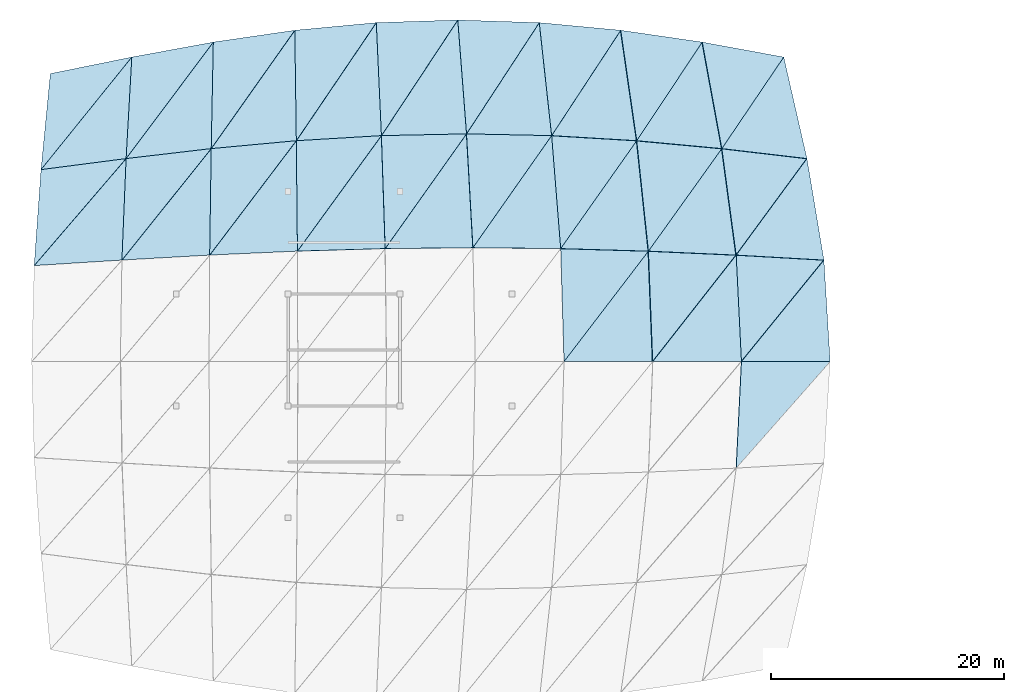
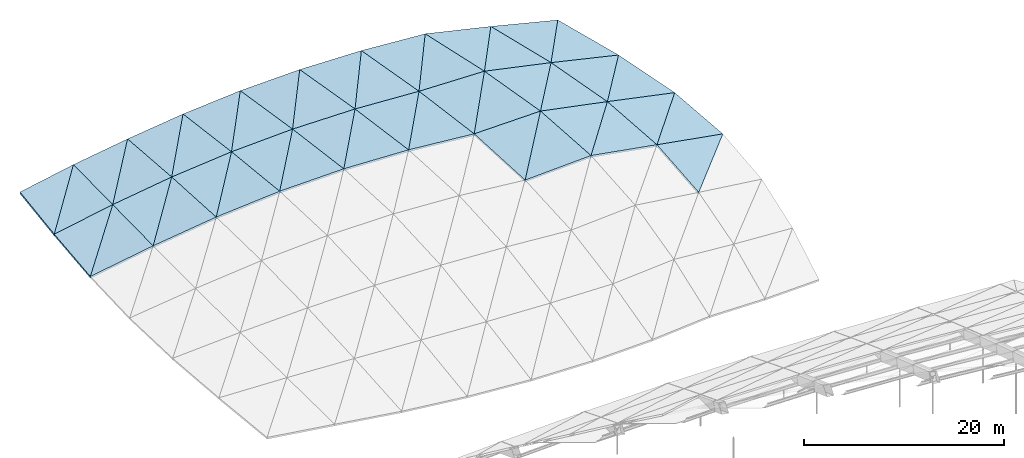
# One storey, part 43 of 43: 43 slabs.
"""IFC4 building model written with IfcOpenShell, lengths in metres."""

from ifc_helpers import new_model, si_unit, direction, frame, origin, place, context, subcontext, project, spatial, polyline, outline, extrude, material, layer, layer_set, type_object, element, save


model = new_model("IFC4")

# Units and contexts
model_context = context("Model", 3, precision=1e-05, world=origin(), true_north=direction((0.0, 1.0)))
body_context = subcontext(model_context, "Body", "Model", "MODEL_VIEW")
ifc_project = project(units=[si_unit("LENGTHUNIT", "METRE"), si_unit("AREAUNIT", "SQUARE_METRE"), si_unit("VOLUMEUNIT", "CUBIC_METRE"), si_unit("PLANEANGLEUNIT", "RADIAN"), si_unit("MASSUNIT", "GRAM", prefix="KILO")], contexts=[model_context])

# Site, building, storey
site_placement = place(None, origin())
site = spatial("IfcSite", under=ifc_project, at=site_placement, CompositionType="ELEMENT")
building_placement = place(site_placement, origin())
building = spatial("IfcBuilding", under=site, at=building_placement, Name="Chalmorin Arch Market", CompositionType="ELEMENT")
storey_placement = place(building_placement, frame((0.0, 0.0, 18.60009765625)))
storey = spatial("IfcBuildingStorey", under=building, at=storey_placement, Name="RF", CompositionType="ELEMENT", Elevation=18.60009765625)

# Slabs
ifc_material = material(Name="Concrete C40/50", Category="concrete")
ifc_layer = layer(ifc_material, 0.22509765625)
ifc_layer_set = layer_set([ifc_layer], Name="Concrete C40/50")
slab_type = type_object("IfcSlabType", Name="StudioSlopedRoofSlab-225", PredefinedType="ROOF", material=ifc_layer_set)
slab_1_placement = place(storey_placement, frame((45.4140625, 103.23291015625, -0.814208984375), z_axis=(-0.110881251552, 0.047327918976, 0.992706107637), x_axis=(0.99220121627, 0.062499343561, 0.10784515977)))
element("IfcSlab", 1, at=slab_1_placement, inside=storey, type_object=slab_type, Name="RS-225-246", PredefinedType="ROOF", context=body_context, shape_type="SweptSolid", body=[
    extrude(outline(polyline([(0.0, 0.0), (7.586017176075133, 3.469446951953614e-17), (8.446089054126706, 8.67999248428343), (0.0, 0.0)])), origin(), (0.0, 0.0, -1.0), 0.22509765625),
])
slab_2_placement = place(storey_placement, frame((45.4140625, 103.23291015625, -0.814208984375), z_axis=(-0.066348375866, 0.008833408933, 0.997757417365), x_axis=(0.651137201648, 0.758077632431, 0.036587536639)))
element("IfcSlab", 2, at=slab_2_placement, inside=storey, type_object=slab_type, Name="RS-225-247", PredefinedType="ROOF", context=body_context, shape_type="SweptSolid", body=[
    extrude(outline(polyline([(0.0, 0.0), (12.111097796544117, 5.273559366969494e-16), (6.622394513031659, 4.928415191349834), (0.0, 0.0)])), origin(), (0.0, 0.0, -1.0), 0.22509765625),
])
slab_3_placement = place(storey_placement, frame((46.0, 111.467041015625, -0.84814453125), z_axis=(-0.074002335217, 0.069299328678, 0.994847353832), x_axis=(0.989614134099, 0.12838076406, 0.064670279189)))
element("IfcSlab", 3, at=slab_3_placement, inside=storey, type_object=slab_type, Name="RS-225-248", PredefinedType="ROOF", context=body_context, shape_type="SweptSolid", body=[
    extrude(outline(polyline([(0.0, 0.0), (7.376661848883155, -9.020562075079397e-17), (8.942511955006632, 8.597998313431622), (0.0, 0.0)])), origin(), (0.0, 0.0, -1.0), 0.22509765625),
])
slab_4_placement = place(storey_placement, frame((46.0, 111.467041015625, -0.84814453125), z_axis=(-0.008483812211, 0.016479175337, 0.9998282161), x_axis=(0.62795519449, 0.778213371434, -0.007498148712)))
element("IfcSlab", 4, at=slab_4_placement, inside=storey, type_object=slab_type, Name="RS-225-249", PredefinedType="ROOF", context=body_context, shape_type="SweptSolid", body=[
    extrude(outline(polyline([(0.0, 0.0), (12.40540588063162, 1.700029006457271e-16), (6.910322145108695, 4.5480712879613066), (0.0, 0.0)])), origin(), (0.0, 0.0, -1.0), 0.22509765625),
])
slab_5_placement = place(storey_placement, frame((52.94091796875, 103.70703125, 0.00390625), z_axis=(-0.085374176469, 0.076273142676, 0.99342521495), x_axis=(0.995092784977, 0.056579340666, 0.08117344083)))
element("IfcSlab", 5, at=slab_5_placement, inside=storey, type_object=slab_type, Name="RS-225-258", PredefinedType="ROOF", context=body_context, shape_type="SweptSolid", body=[
    extrude(outline(polyline([(0.0, 0.0), (7.564218857789565, -2.0816681711721685e-17), (8.156443448906527, 9.141843188359884), (0.0, 0.0)])), origin(), (0.0, 0.0, -1.0), 0.22509765625),
])
slab_6_placement = place(storey_placement, frame((52.94091796875, 103.70703125, 0.00390625), z_axis=(-0.046140189913, 0.044882425532, 0.997926175002), x_axis=(0.625159245754, 0.780472619508, -0.006197390202)))
element("IfcSlab", 6, at=slab_6_placement, inside=storey, type_object=slab_type, Name="RS-225-259", PredefinedType="ROOF", context=body_context, shape_type="SweptSolid", body=[
    extrude(outline(polyline([(0.0, 0.0), (12.25156588423587, 5.4643789493269423e-17), (7.022437486329411, 5.1737186735681195), (0.0, 0.0)])), origin(), (0.0, 0.0, -1.0), 0.22509765625),
])
slab_7_placement = place(storey_placement, frame((53.300048828125, 112.4140625, -0.37109375), z_axis=(-0.052979059028, 0.104975777443, 0.993062588891), x_axis=(0.992390020216, 0.116228549239, 0.040656759799)))
element("IfcSlab", 7, at=slab_7_placement, inside=storey, type_object=slab_type, Name="RS-225-260", PredefinedType="ROOF", context=body_context, shape_type="SweptSolid", body=[
    extrude(outline(polyline([(0.0, 0.0), (7.3560280528977895, -2.0816681711721685e-17), (8.55746926393334, 9.107763633037383), (0.0, 0.0)])), origin(), (0.0, 0.0, -1.0), 0.22509765625),
])
slab_8_placement = place(storey_placement, frame((53.300048828125, 112.4140625, -0.37109375), z_axis=(0.00042061246, 0.065308732781, 0.997865017178), x_axis=(0.598529384008, 0.799374106151, -0.052570095057)))
element("IfcSlab", 8, at=slab_8_placement, inside=storey, type_object=slab_type, Name="RS-225-261", PredefinedType="ROOF", context=body_context, shape_type="SweptSolid", body=[
    extrude(outline(polyline([(0.0, 0.0), (12.49726524478224, -1.3877787807814457e-17), (7.283417423686419, 4.8300405986866215), (0.0, 0.0)])), origin(), (0.0, 0.0, -1.0), 0.22509765625),
])
slab_9_placement = place(storey_placement, frame((60.468017578125, 104.135009765625, 0.617919921875), z_axis=(-0.045419239526, 0.093005444612, 0.994629116783), x_axis=(0.998131282015, 0.044967868403, 0.041374323843)))
element("IfcSlab", 9, at=slab_9_placement, inside=storey, type_object=slab_type, Name="RS-225-270", PredefinedType="ROOF", context=body_context, shape_type="SweptSolid", body=[
    extrude(outline(polyline([(0.0, 0.0), (7.5411919704349994, -6.245004513516506e-17), (7.835302389665681, 9.510559926552203), (0.0, 0.0)])), origin(), (0.0, 0.0, -1.0), 0.22509765625),
])
slab_10_placement = place(storey_placement, frame((60.468017578125, 104.135009765625, 0.617919921875), z_axis=(-0.022293579561, 0.075622491117, 0.996887273039), x_axis=(0.603117581527, 0.79627133148, -0.046916409877)))
element("IfcSlab", 10, at=slab_10_placement, inside=storey, type_object=slab_type, Name="RS-225-271", PredefinedType="ROOF", context=body_context, shape_type="SweptSolid", body=[
    extrude(outline(polyline([(0.0, 0.0), (12.32244755127979, -8.465450562766819e-16), (7.385198171528077, 5.420597274668542), (0.0, 0.0)])), origin(), (0.0, 0.0, -1.0), 0.22509765625),
])
slab_11_placement = place(storey_placement, frame((60.60009765625, 113.26904296875, -0.072021484375), z_axis=(-0.025791156852, 0.113896037448, 0.993157846911), x_axis=(0.995598910169, 0.092467497443, 0.015250311065)))
element("IfcSlab", 11, at=slab_11_placement, inside=storey, type_object=slab_type, Name="RS-225-272", PredefinedType="ROOF", context=body_context, shape_type="SweptSolid", body=[
    extrude(outline(polyline([(0.0, 0.0), (7.332073802956619, 1.196959198423997e-16), (8.062167853117812, 9.509255288678986), (0.0, 0.0)])), origin(), (0.0, 0.0, -1.0), 0.22509765625),
])
slab_12_placement = place(storey_placement, frame((60.60009765625, 113.26904296875, -0.072021484375), z_axis=(-0.012049103748, 0.104316996177, 0.994471107377), x_axis=(0.575115010378, 0.814302382237, -0.078449698024)))
element("IfcSlab", 12, at=slab_12_placement, inside=storey, type_object=slab_type, Name="RS-225-273", PredefinedType="ROOF", context=body_context, shape_type="SweptSolid", body=[
    extrude(outline(polyline([(0.0, 0.0), (12.466935735661572, 6.106226635438361e-16), (7.617143802804943, 5.135556412526604), (0.0, 0.0)])), origin(), (0.0, 0.0, -1.0), 0.22509765625),
])
slab_13_placement = place(storey_placement, frame((67.9951171875, 104.47412109375, 0.929931640625), z_axis=(0.001514918998, 0.093852773234, 0.995584934587), x_axis=(0.999572691461, 0.028920494349, -0.004247292332)))
element("IfcSlab", 13, at=slab_13_placement, inside=storey, type_object=slab_type, Name="RS-225-282", PredefinedType="ROOF", context=body_context, shape_type="SweptSolid", body=[
    extrude(outline(polyline([(0.0, 0.0), (7.530073133299659, -1.2576745200831851e-17), (7.492340593375594, 9.739333809418174), (0.0, 0.0)])), origin(), (0.0, 0.0, -1.0), 0.22509765625),
])
slab_14_placement = place(storey_placement, frame((67.9951171875, 104.47412109375, 0.929931640625), z_axis=(0.001902626648, 0.093573314522, 0.99561057388), x_axis=(0.586340896501, 0.806405000382, -0.076911172456)))
element("IfcSlab", 14, at=slab_14_placement, inside=storey, type_object=slab_type, Name="RS-225-283", PredefinedType="ROOF", context=body_context, shape_type="SweptSolid", body=[
    extrude(outline(polyline([(0.0, 0.0), (12.28779030657749, 1.6375789613221059e-15), (7.651627344965613, 5.655957039176936), (0.0, 0.0)])), origin(), (0.0, 0.0, -1.0), 0.22509765625),
])
slab_15_placement = place(storey_placement, frame((67.89990234375, 113.947021484375, 0.039794921875), z_axis=(0.001137171035, 0.106228552046, 0.99434108915), x_axis=(0.998192736628, 0.059622495155, -0.007511232592)))
element("IfcSlab", 15, at=slab_15_placement, inside=storey, type_object=slab_type, Name="RS-225-284", PredefinedType="ROOF", context=body_context, shape_type="SweptSolid", body=[
    extrude(outline(polyline([(0.0, 0.0), (7.313265825582774, 2.3418766925686896e-17), (7.459747909616471, 9.755816425035631), (0.0, 0.0)])), origin(), (0.0, 0.0, -1.0), 0.22509765625),
])
slab_16_placement = place(storey_placement, frame((67.89990234375, 113.947021484375, 0.039794921875), z_axis=(-0.010679321825, 0.114132013124, 0.993408191866), x_axis=(0.558593640627, 0.824680543356, -0.088742019707)))
element("IfcSlab", 16, at=slab_16_placement, inside=storey, type_object=slab_type, Name="RS-225-285", PredefinedType="ROOF", context=body_context, shape_type="SweptSolid", body=[
    extrude(outline(polyline([(0.0, 0.0), (12.28103387317299, -3.191891195797325e-16), (7.837085215840917, 5.434985628959635), (0.0, 0.0)])), origin(), (0.0, 0.0, -1.0), 0.22509765625),
])
slab_17_placement = place(storey_placement, frame((75.52197265625, 104.69189453125, 0.89794921875), z_axis=(0.047250288524, 0.078014276522, 0.995831904938), x_axis=(0.998789203996, 0.009977849399, -0.048172279405)))
element("IfcSlab", 17, at=slab_17_placement, inside=storey, type_object=slab_type, Name="RS-225-294", PredefinedType="ROOF", context=body_context, shape_type="SweptSolid", body=[
    extrude(outline(polyline([(0.0, 0.0), (7.536224439814582, -2.0816681711721685e-17), (7.120859333319413, 9.800372108252555), (0.0, 0.0)])), origin(), (0.0, 0.0, -1.0), 0.22509765625),
])
slab_18_placement = place(storey_placement, frame((75.52197265625, 104.69189453125, 0.89794921875), z_axis=(0.023820299585, 0.09456088565, 0.99523405902), x_axis=(0.57602030813, 0.812357518733, -0.09097178892)))
element("IfcSlab", 18, at=slab_18_placement, inside=storey, type_object=slab_type, Name="RS-225-295", PredefinedType="ROOF", context=body_context, shape_type="SweptSolid", body=[
    extrude(outline(polyline([(0.0, 0.0), (12.114203692572486, 6.730727086790012e-16), (7.770262551329105, 5.87188782924687), (0.0, 0.0)])), origin(), (0.0, 0.0, -1.0), 0.22509765625),
])
slab_19_placement = place(storey_placement, frame((75.199951171875, 114.383056640625, -0.01513671875), z_axis=(0.023968430657, 0.088090819456, 0.995824041615), x_axis=(0.99945458759, 0.020523230553, -0.025871303662)))
element("IfcSlab", 19, at=slab_19_placement, inside=storey, type_object=slab_type, Name="RS-225-296", PredefinedType="ROOF", context=body_context, shape_type="SweptSolid", body=[
    extrude(outline(polyline([(0.0, 0.0), (7.304032538115119, -1.0408340855860843e-17), (6.776779592713668, 9.818155382945836), (0.0, 0.0)])), origin(), (0.0, 0.0, -1.0), 0.22509765625),
])
slab_20_placement = place(storey_placement, frame((75.199951171875, 114.383056640625, -0.01513671875), z_axis=(-0.003414266948, 0.106023727746, 0.99435773841), x_axis=(0.549047819591, 0.831276694316, -0.08674992386)))
element("IfcSlab", 20, at=slab_20_placement, inside=storey, type_object=slab_type, Name="RS-225-297", PredefinedType="ROOF", context=body_context, shape_type="SweptSolid", body=[
    extrude(outline(polyline([(0.0, 0.0), (11.929833057167595, 4.579669976578771e-16), (7.9048757244344525, 5.719296364167957), (0.0, 0.0)])), origin(), (0.0, 0.0, -1.0), 0.22509765625),
])
slab_21_placement = place(storey_placement, frame((83.049072265625, 104.76708984375, 0.534912109375), z_axis=(0.084322037713, 0.048646902184, 0.995250356877), x_axis=(0.996421534339, -0.009954519383, -0.083934697524)))
element("IfcSlab", 21, at=slab_21_placement, inside=storey, type_object=slab_type, Name="RS-225-306", PredefinedType="ROOF", context=body_context, shape_type="SweptSolid", body=[
    extrude(outline(polyline([(0.0, 0.0), (7.553886793243509, 6.938893903907228e-18), (6.718555395911053, 9.694805985521954), (0.0, 0.0)])), origin(), (0.0, 0.0, -1.0), 0.22509765625),
])
slab_22_placement = place(storey_placement, frame((83.049072265625, 104.76708984375, 0.534912109375), z_axis=(0.042936808073, 0.077787876435, 0.996044917056), x_axis=(0.572346378878, 0.815239650835, -0.088339879396)))
element("IfcSlab", 22, at=slab_22_placement, inside=storey, type_object=slab_type, Name="RS-225-307", PredefinedType="ROOF", context=body_context, shape_type="SweptSolid", body=[
    extrude(outline(polyline([(0.0, 0.0), (11.79526386753759, 9.8879238130678e-17), (7.712548603973193, 6.061057305723117), (0.0, 0.0)])), origin(), (0.0, 0.0, -1.0), 0.22509765625),
])
slab_23_placement = place(storey_placement, frame((82.5, 114.532958984375, -0.2041015625), z_axis=(0.042632711408, 0.060532198382, 0.997255385985), x_axis=(0.998929614036, -0.020512450521, -0.04145920374)))
element("IfcSlab", 23, at=slab_23_placement, inside=storey, type_object=slab_type, Name="RS-225-308", PredefinedType="ROOF", context=body_context, shape_type="SweptSolid", body=[
    extrude(outline(polyline([(0.0, 0.0), (7.3078710707429195, -1.0408340855860843e-17), (6.072653693839022, 9.686361387142652), (0.0, 0.0)])), origin(), (0.0, 0.0, -1.0), 0.22509765625),
])
slab_24_placement = place(storey_placement, frame((82.5, 114.532958984375, -0.2041015625), z_axis=(0.002785577064, 0.086500929409, 0.996247875667), x_axis=(0.545810137294, 0.834635291131, -0.073994762147)))
element("IfcSlab", 24, at=slab_24_placement, inside=storey, type_object=slab_type, Name="RS-225-309", PredefinedType="ROOF", context=body_context, shape_type="SweptSolid", body=[
    extrude(outline(polyline([(0.0, 0.0), (11.432529020633398, -2.636779683484747e-16), (7.805195938979255, 5.979388526115742), (0.0, 0.0)])), origin(), (0.0, 0.0, -1.0), 0.22509765625),
])
slab_25_placement = place(storey_placement, frame((90.860107421875, 95.0, 0.032958984375), z_axis=(-0.043455192653, 0.018034287766, 0.998892592172), x_axis=(0.999055069489, 0.0, 0.043462260963)))
element("IfcSlab", 25, at=slab_25_placement, inside=storey, type_object=slab_type, Name="RS-225-316", PredefinedType="ROOF", context=body_context, shape_type="SweptSolid", body=[
    extrude(outline(polyline([(0.0, 0.0), (7.617060874473351, 0.0), (7.242336298950867, 9.475662130082386), (0.0, 0.0)])), origin(), (0.0, 0.0, -1.0), 0.22509765625),
])
slab_26_placement = place(storey_placement, frame((90.860107421875, 95.0, 0.032958984375), z_axis=(-0.036293594685, 0.012553659377, 0.999262318223), x_axis=(0.607300180869, 0.794380652536, 0.012077631938)))
element("IfcSlab", 26, at=slab_26_placement, inside=storey, type_object=slab_type, Name="RS-225-317", PredefinedType="ROOF", context=body_context, shape_type="SweptSolid", body=[
    extrude(outline(polyline([(0.0, 0.0), (11.926424773190783, 6.392456008974534e-16), (7.524875911857519, 6.116147918244395), (0.0, 0.0)])), origin(), (0.0, 0.0, -1.0), 0.22509765625),
])
slab_27_placement = place(storey_placement, frame((90.575927734375, 104.69189453125, -0.09912109375), z_axis=(-0.035115951575, 0.051713340558, 0.998044387967), x_axis=(0.998910402762, -0.028900395033, 0.036643886527)))
element("IfcSlab", 27, at=slab_27_placement, inside=storey, type_object=slab_type, Name="RS-225-318", PredefinedType="ROOF", context=body_context, shape_type="SweptSolid", body=[
    extrude(outline(polyline([(0.0, 0.0), (7.535310062402833, 1.0408340855860843e-17), (6.240423407692804, 9.452078278382963), (0.0, 0.0)])), origin(), (0.0, 0.0, -1.0), 0.22509765625),
])
slab_28_placement = place(storey_placement, frame((90.575927734375, 104.69189453125, -0.09912109375), z_axis=(-0.01919622793, 0.040516793035, 0.998994441584), x_axis=(0.576020428989, 0.817137239177, -0.022072556198)))
element("IfcSlab", 28, at=slab_28_placement, inside=storey, type_object=slab_type, Name="RS-225-319", PredefinedType="ROOF", context=body_context, shape_type="SweptSolid", body=[
    extrude(outline(polyline([(0.0, 0.0), (11.326282182956565, -1.3357370765021415e-16), (7.48109204766274, 6.222564054686702), (0.0, 0.0)])), origin(), (0.0, 0.0, -1.0), 0.22509765625),
])
slab_29_placement = place(storey_placement, frame((89.800048828125, 114.383056640625, -0.507080078125), z_axis=(-0.017322139722, 0.071280847427, 0.997305862946), x_axis=(0.997988121764, -0.059610273418, 0.021594539139)))
element("IfcSlab", 29, at=slab_29_placement, inside=storey, type_object=slab_type, Name="RS-225-320", PredefinedType="ROOF", context=body_context, shape_type="SweptSolid", body=[
    extrude(outline(polyline([(0.0, 0.0), (7.314765245121673, -6.938893903907228e-18), (5.367527959674429, 9.398464357192406), (0.0, 0.0)])), origin(), (0.0, 0.0, -1.0), 0.22509765625),
])
slab_30_placement = place(storey_placement, frame((89.800048828125, 114.383056640625, -0.507080078125), z_axis=(0.005287730177, 0.056511012575, 0.998387973369), x_axis=(0.547891190459, 0.835044010852, -0.050167154168)))
element("IfcSlab", 30, at=slab_30_placement, inside=storey, type_object=slab_type, Name="RS-225-321", PredefinedType="ROOF", context=body_context, shape_type="SweptSolid", body=[
    extrude(outline(polyline([(0.0, 0.0), (10.823192166422198, 2.7582103268031233e-16), (7.539600914236812, 6.205302324993755), (0.0, 0.0)])), origin(), (0.0, 0.0, -1.0), 0.22509765625),
])
slab_31_placement = place(storey_placement, frame((98.469970703125, 95.0, 0.364013671875), z_axis=(0.173752729539, 0.021403738843, 0.984556686505), x_axis=(0.984782286594, 0.0, -0.173792543023)))
element("IfcSlab", 31, at=slab_31_placement, inside=storey, type_object=slab_type, Name="RS-225-328", PredefinedType="ROOF", context=body_context, shape_type="SweptSolid", body=[
    extrude(outline(polyline([(0.0, 0.0), (7.727705428368093, -3.469446951953614e-18), (7.30506681130638, 9.137102950353281), (0.0, 0.0)])), origin(), (0.0, 0.0, -1.0), 0.22509765625),
])
slab_32_placement = place(storey_placement, frame((98.469970703125, 95.0, 0.364013671875), z_axis=(0.168113545136, 0.025962756517, 0.985425680209), x_axis=(0.612046271561, 0.780882304463, -0.124988751675)))
element("IfcSlab", 32, at=slab_32_placement, inside=storey, type_object=slab_type, Name="RS-225-329", PredefinedType="ROOF", context=body_context, shape_type="SweptSolid", body=[
    extrude(outline(polyline([(0.0, 0.0), (11.698318316878057, 6.661338147750939e-16), (7.196961558744419, 6.175138511234631), (0.0, 0.0)])), origin(), (0.0, 0.0, -1.0), 0.22509765625),
])
slab_33_placement = place(storey_placement, frame((98.10302734375, 104.47412109375, 0.177001953125), z_axis=(0.169371964228, 0.060380201409, 0.983700853416), x_axis=(0.984980029103, -0.044376816751, -0.166868332533)))
element("IfcSlab", 33, at=slab_33_placement, inside=storey, type_object=slab_type, Name="RS-225-330", PredefinedType="ROOF", context=body_context, shape_type="SweptSolid", body=[
    extrude(outline(polyline([(0.0, 0.0), (7.641632567516473, 5.551115123125783e-17), (6.083003567387737, 9.090423822775035), (0.0, 0.0)])), origin(), (0.0, 0.0, -1.0), 0.22509765625),
])
slab_34_placement = place(storey_placement, frame((98.10302734375, 104.47412109375, 0.177001953125), z_axis=(0.154807869956, 0.071117958984, 0.98538152982), x_axis=(0.57569063029, 0.804074103039, -0.1484760419)))
element("IfcSlab", 34, at=slab_34_placement, inside=storey, type_object=slab_type, Name="RS-225-331", PredefinedType="ROOF", context=body_context, shape_type="SweptSolid", body=[
    extrude(outline(polyline([(0.0, 0.0), (10.937949427499097, 2.7755575615628914e-16), (7.117653328386412, 6.352757379763137), (0.0, 0.0)])), origin(), (0.0, 0.0, -1.0), 0.22509765625),
])
slab_35_placement = place(storey_placement, frame((97.10009765625, 113.947021484375, -0.34912109375), z_axis=(0.155974513209, 0.085883550146, 0.984020308247), x_axis=(0.984733569775, -0.091458365327, -0.148105246263)))
element("IfcSlab", 35, at=slab_35_placement, inside=storey, type_object=slab_type, Name="RS-225-332", PredefinedType="ROOF", context=body_context, shape_type="SweptSolid", body=[
    extrude(outline(polyline([(0.0, 0.0), (7.412974343071112, -9.71445146547012e-17), (5.001860954784989, 8.985492373084245), (0.0, 0.0)])), origin(), (0.0, 0.0, -1.0), 0.22509765625),
])
slab_36_placement = place(storey_placement, frame((97.10009765625, 113.947021484375, -0.34912109375), z_axis=(0.144415656837, 0.093765774695, 0.985064514413), x_axis=(0.546475296839, 0.822359975782, -0.158394508037)))
element("IfcSlab", 36, at=slab_36_placement, inside=storey, type_object=slab_type, Name="RS-225-333", PredefinedType="ROOF", context=body_context, shape_type="SweptSolid", body=[
    extrude(outline(polyline([(0.0, 0.0), (10.283855609534672, -1.249000902703301e-16), (7.1532251286433475, 6.399549638700942), (0.0, 0.0)])), origin(), (0.0, 0.0, -1.0), 0.22509765625),
])
slab_37_placement = place(storey_placement, frame((105.6298828125, 85.864990234375, -1.09814453125), z_axis=(0.173758134577, -0.021403992703, 0.9845557271), x_axis=(0.658296741126, 0.746092238526, -0.099958852707)))
element("IfcSlab", 37, at=slab_37_placement, inside=storey, type_object=slab_type, Name="RS-225-339", PredefinedType="ROOF", context=body_context, shape_type="SweptSolid", body=[
    extrude(outline(polyline([(0.0, 0.0), (12.243807526629038, -2.220446049250313e-16), (7.1000128318956985, 5.76672277059535), (0.0, 0.0)])), origin(), (0.0, 0.0, -1.0), 0.22509765625),
])
slab_38_placement = place(storey_placement, frame((106.080078125, 95.0, -0.97900390625), z_axis=(0.173773198876, 0.016876283602, 0.984641085068), x_axis=(0.984781332323, 0.0, -0.173797950244)))
element("IfcSlab", 38, at=slab_38_placement, inside=storey, type_object=slab_type, Name="RS-225-340", PredefinedType="ROOF", context=body_context, shape_type="SweptSolid", body=[
    extrude(outline(polyline([(0.0, 0.0), (7.727465003121642, -3.469446951953614e-18), (7.21220638209992, 8.708271435124304), (0.0, 0.0)])), origin(), (0.0, 0.0, -1.0), 0.22509765625),
])
slab_39_placement = place(storey_placement, frame((106.080078125, 95.0, -0.97900390625), z_axis=(0.168656895322, 0.021164223017, 0.985447577157), x_axis=(0.625882927621, 0.770051703546, -0.123656519353)))
element("IfcSlab", 39, at=slab_39_placement, inside=storey, type_object=slab_type, Name="RS-225-341", PredefinedType="ROOF", context=body_context, shape_type="SweptSolid", body=[
    extrude(outline(polyline([(0.0, 0.0), (11.307073550915142, 5.551115123125783e-17), (6.767392786739366, 6.15367114785755), (0.0, 0.0)])), origin(), (0.0, 0.0, -1.0), 0.22509765625),
])
slab_40_placement = place(storey_placement, frame((105.6298828125, 104.135009765625, -1.09814453125), z_axis=(0.170005397439, 0.048457105279, 0.984251021737), x_axis=(0.984322608747, -0.055966966142, -0.167262370576)))
element("IfcSlab", 40, at=slab_40_placement, inside=storey, type_object=slab_type, Name="RS-225-342", PredefinedType="ROOF", context=body_context, shape_type="SweptSolid", body=[
    extrude(outline(polyline([(0.0, 0.0), (7.6469843753339815, 2.7755575615628914e-17), (5.755095217415888, 8.624814105678752), (0.0, 0.0)])), origin(), (0.0, 0.0, -1.0), 0.22509765625),
])
slab_41_placement = place(storey_placement, frame((105.6298828125, 104.135009765625, -1.09814453125), z_axis=(0.15641281088, 0.058720837068, 0.985944671818), x_axis=(0.585426127924, 0.798471038251, -0.14042880694)))
element("IfcSlab", 41, at=slab_41_placement, inside=storey, type_object=slab_type, Name="RS-225-343", PredefinedType="ROOF", context=body_context, shape_type="SweptSolid", body=[
    extrude(outline(polyline([(0.0, 0.0), (10.368632471017499, 8.049116928532385e-16), (6.622190646170698, 6.419635556905668), (0.0, 0.0)])), origin(), (0.0, 0.0, -1.0), 0.22509765625),
])
slab_42_placement = place(storey_placement, frame((104.39990234375, 113.26904296875, -1.447021484375), z_axis=(0.157718281424, 0.071202248007, 0.984913795001), x_axis=(0.982130650688, -0.115026973637, -0.148956974712)))
element("IfcSlab", 42, at=slab_42_placement, inside=storey, type_object=slab_type, Name="RS-225-344", PredefinedType="ROOF", context=body_context, shape_type="SweptSolid", body=[
    extrude(outline(polyline([(0.0, 0.0), (7.432869367239607, -1.5265566588595902e-16), (4.523189998898524, 8.450018423070324), (0.0, 0.0)])), origin(), (0.0, 0.0, -1.0), 0.22509765625),
])
slab_43_placement = place(storey_placement, frame((104.39990234375, 113.26904296875, -1.447021484375), z_axis=(0.140455252279, 0.083178742195, 0.986586853224), x_axis=(0.554027376478, 0.819247286541, -0.147944413912)))
element("IfcSlab", 43, at=slab_43_placement, inside=storey, type_object=slab_type, Name="RS-225-345", PredefinedType="ROOF", context=body_context, shape_type="SweptSolid", body=[
    extrude(outline(polyline([(0.0, 0.0), (9.584469683626923, 2.220446049250313e-16), (6.63166319414941, 6.524843617841869), (0.0, 0.0)])), origin(), (0.0, 0.0, -1.0), 0.22509765625),
])

save(model, "model.ifc")
